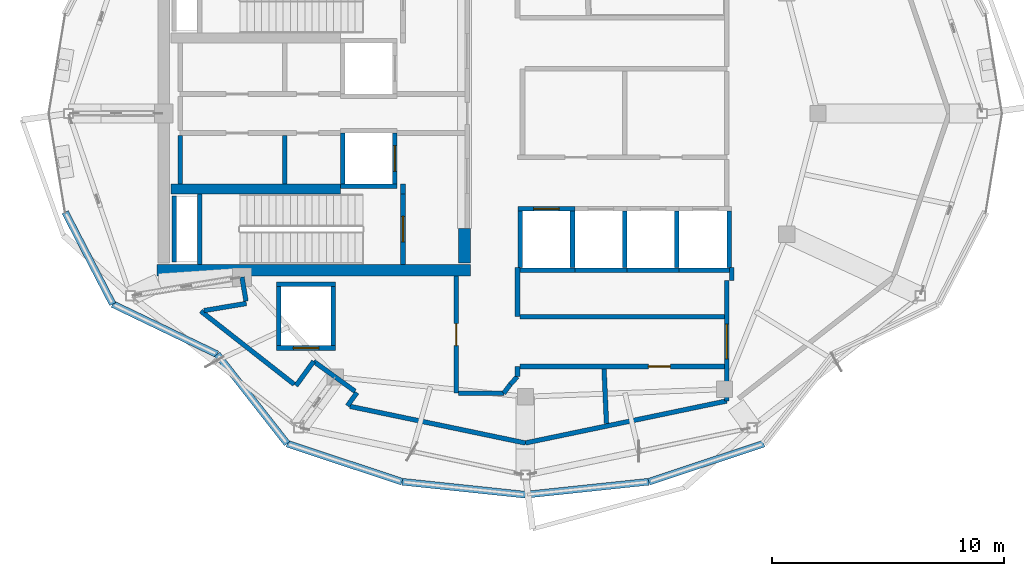
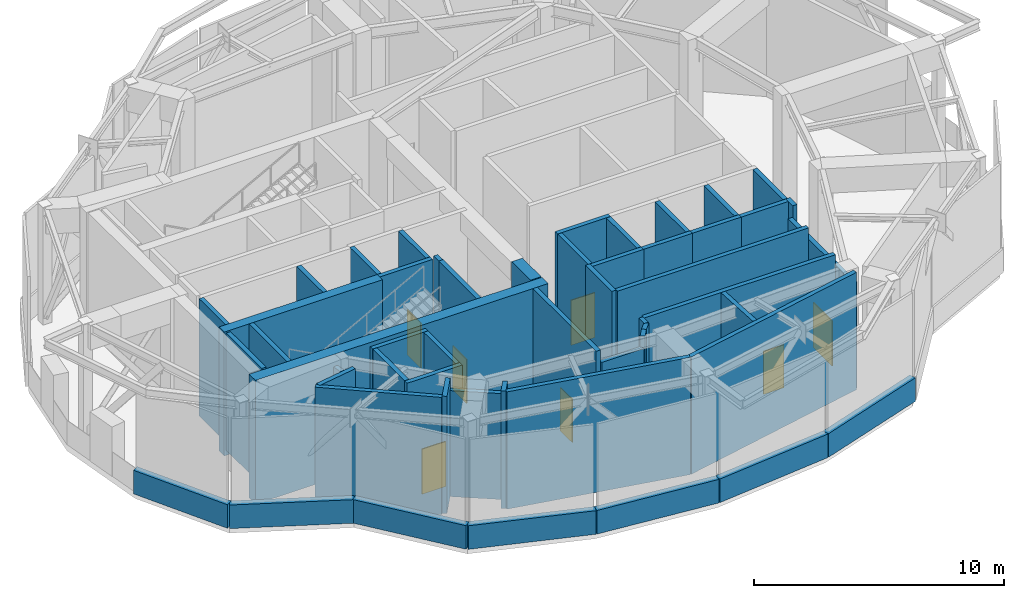
# One storey, part 6 of 9: 52 walls, 7 doors, 7 openings.
"""IFC4 building model written with IfcOpenShell, lengths in metres."""

from ifc_helpers import new_model, si_unit, direction, frame, frame_2d, origin, place, context, subcontext, project, spatial, rectangle, extrude, material, layer, layer_set, type_object, element, fill, save


model = new_model("IFC4")

# Units and contexts
model_context = context("Model", 3, precision=1e-05, world=origin(), true_north=direction((0.0, 1.0)))
body_context = subcontext(model_context, "Body", "Model", "MODEL_VIEW")
ifc_project = project(units=[si_unit("LENGTHUNIT", "METRE"), si_unit("AREAUNIT", "SQUARE_METRE"), si_unit("VOLUMEUNIT", "CUBIC_METRE"), si_unit("PLANEANGLEUNIT", "RADIAN"), si_unit("MASSUNIT", "GRAM", prefix="KILO")], contexts=[model_context])

# Site, building, storey
site_placement = place(None, origin())
site = spatial("IfcSite", under=ifc_project, at=site_placement, CompositionType="ELEMENT")
building_placement = place(site_placement, origin())
building = spatial("IfcBuilding", under=site, at=building_placement, Name="Kolvaren Gate Tower and Convention Centre", CompositionType="ELEMENT")
storey_placement = place(building_placement, frame((0.0, 0.0, 275.60009765625)))
storey = spatial("IfcBuildingStorey", under=building, at=storey_placement, Name="L75", CompositionType="ELEMENT", Elevation=275.60009765625)

# Walls
ifc_material_1 = material(Name="Autoclaved Aerated Masonry Blockwork Class 4 (4.0 MPa)", Category="masonry")
ifc_layer_1 = layer(ifc_material_1, 0.199951171875)
ifc_layer_set_1 = layer_set([ifc_layer_1], Name="Autoclaved Aerated Masonry Blockwork Class 4 (4.0 MPa)")
wall_type_1 = type_object("IfcWallType", Name="ARCH-WL-SHAFT-200", PredefinedType="SOLIDWALL", material=ifc_layer_set_1)
wall_1_placement = place(storey_placement, frame((22.14990234375, 23.860107421875, 0.0), z_axis=(0.0, 0.0, 1.0), x_axis=(1.0, 0.0, 0.0)))
element("IfcWall", 1, at=wall_1_placement, inside=storey, type_object=wall_type_1, Name="Elevator FF-02 L75 Fire Shaft Wall S", PredefinedType="SOLIDWALL", context=body_context, shape_type="SweptSolid", body=[
    extrude(rectangle(XDim=2.4501953125, YDim=0.199951171875, at=frame_2d((1.22509765625, 0.0))), origin(), (0.0, 0.0, 1.0), 5.719970703125),
])
wall_2_placement = place(storey_placement, frame((22.25, 23.969970703125, 0.0), z_axis=(0.0, 0.0, 1.0), x_axis=(0.0, 1.0, 0.0)))
element("IfcWall", 2, at=wall_2_placement, inside=storey, type_object=wall_type_1, Name="Elevator FF-02 L75 Fire Shaft Wall W", PredefinedType="SOLIDWALL", context=body_context, shape_type="SweptSolid", body=[
    extrude(rectangle(XDim=2.179931640625, YDim=0.199951171875, at=frame_2d((1.08984375, 0.0))), origin(), (0.0, 0.0, 1.0), 5.719970703125),
])

# Wall, opening, door
wall_3_placement = place(storey_placement, frame((24.5, 23.969970703125, 0.0), z_axis=(0.0, 0.0, 1.0), x_axis=(0.0, 1.0, 0.0)))
wall_3 = element("IfcWall", 3, at=wall_3_placement, inside=storey, type_object=wall_type_1, Name="Elevator FF-02 L75 Fire Shaft Wall E", PredefinedType="SOLIDWALL", context=body_context, shape_type="SweptSolid", body=[
    extrude(rectangle(XDim=2.179931640625, YDim=0.199951171875, at=frame_2d((1.08984375, 0.0))), origin(), (0.0, 0.0, 1.0), 5.719970703125),
])
opening_1_placement = place(wall_3_placement, frame((0.5400390625, 0.0, 0.0)))
opening_1 = element("IfcOpeningElement", 4, at=opening_1_placement, cuts=wall_3, Name="Opening LD", PredefinedType="OPENING", context=body_context, shape_type="SweptSolid", body=[
    extrude(rectangle(XDim=1.10009765625, YDim=2.199951171875, at=frame_2d((0.550048828125, 1.10009765625))), frame((0.0, 0.10986328125, 0.0), z_axis=(0.0, -1.0, 0.0), x_axis=(1.0, 0.0, 0.0)), (0.0, 0.0, 1.0), 0.219970703125),
])
ifc_material_2 = material(Name="Brushed Stainless Steel Grade 316L", Category="steel")
door_type_1 = type_object("IfcDoorType", Name="ARCH-DR-LIFT-1100", OperationType="SLIDING_TO_LEFT", PredefinedType="DOOR", material=ifc_material_2)
door_1_placement = place(opening_1_placement, origin())
door_1 = element("IfcDoor", 5, at=door_1_placement, inside=storey, type_object=door_type_1, Name="Elevator FF-02 L75 Sliding Landing Door", OperationType="SLIDING_TO_LEFT", OverallHeight=2.199951171875, OverallWidth=1.10009765625, PredefinedType="DOOR", context=body_context, shape_type="SweptSolid", body=[
    extrude(rectangle(XDim=1.10009765625, YDim=2.199951171875, at=frame_2d((0.550048828125, 1.10009765625))), frame((0.0, 0.02490234375, 0.0), z_axis=(0.0, -1.0, 0.0), x_axis=(1.0, 0.0, 0.0)), (0.0, 0.0, 1.0), 0.050048828125),
])
fill(opening_1, door_1)

# Wall
wall_4_placement = place(storey_placement, frame((19.39990234375, 19.64990234375, 0.0), z_axis=(0.0, 0.0, 1.0), x_axis=(1.0, 0.0, 0.0)))
element("IfcWall", 6, at=wall_4_placement, inside=storey, type_object=wall_type_1, Name="Elevator SV-01 L75 Fire Shaft Wall N", PredefinedType="SOLIDWALL", context=body_context, shape_type="SweptSolid", body=[
    extrude(rectangle(XDim=2.550048828125, YDim=0.199951171875, at=frame_2d((1.27490234375, 0.0))), origin(), (0.0, 0.0, 1.0), 5.719970703125),
])

# Wall, opening, door
wall_5_placement = place(storey_placement, frame((19.39990234375, 16.89990234375, 0.0), z_axis=(0.0, 0.0, 1.0), x_axis=(1.0, 0.0, 0.0)))
wall_5 = element("IfcWall", 7, at=wall_5_placement, inside=storey, type_object=wall_type_1, Name="Elevator SV-01 L75 Fire Shaft Wall S", PredefinedType="SOLIDWALL", context=body_context, shape_type="SweptSolid", body=[
    extrude(rectangle(XDim=2.550048828125, YDim=0.199951171875, at=frame_2d((1.27490234375, 0.0))), origin(), (0.0, 0.0, 1.0), 5.719970703125),
])
opening_2_placement = place(wall_5_placement, frame((0.72509765625, 0.0, 0.0)))
opening_2 = element("IfcOpeningElement", 8, at=opening_2_placement, cuts=wall_5, Name="Opening LD", PredefinedType="OPENING", context=body_context, shape_type="SweptSolid", body=[
    extrude(rectangle(XDim=1.10009765625, YDim=2.199951171875, at=frame_2d((0.550048828125, 1.10009765625))), frame((0.0, 0.10986328125, 0.0), z_axis=(0.0, -1.0, 0.0), x_axis=(1.0, 0.0, 0.0)), (0.0, 0.0, 1.0), 0.219970703125),
])
door_2_placement = place(opening_2_placement, origin())
door_2 = element("IfcDoor", 9, at=door_2_placement, inside=storey, type_object=door_type_1, Name="Elevator SV-01 L75 Sliding Landing Door", OperationType="SLIDING_TO_LEFT", OverallHeight=2.199951171875, OverallWidth=1.10009765625, PredefinedType="DOOR", context=body_context, shape_type="SweptSolid", body=[
    extrude(rectangle(XDim=1.10009765625, YDim=2.199951171875, at=frame_2d((0.550048828125, 1.10009765625))), frame((0.0, 0.02490234375, 0.0), z_axis=(0.0, -1.0, 0.0), x_axis=(1.0, 0.0, 0.0)), (0.0, 0.0, 1.0), 0.050048828125),
])
fill(opening_2, door_2)

# Walls
for number, where, z_axis, x_axis, name in (
    (10, (19.5, 17.010009765625, 0.0), (0.0, 0.0, 1.0), (0.0, 1.0, 0.0), "Elevator SV-01 L75 Fire Shaft Wall W"),
    (11, (21.85009765625, 17.010009765625, 0.0), (0.0, 0.0, 1.0), (0.0, 1.0, 0.0), "Elevator SV-01 L75 Fire Shaft Wall E"),
):
    element("IfcWall", number, at=place(storey_placement, frame(where, z_axis=z_axis, x_axis=x_axis)), inside=storey, type_object=wall_type_1, Name=name, PredefinedType="SOLIDWALL", context=body_context, shape_type="SweptSolid", body=[
        extrude(rectangle(XDim=2.530029296875, YDim=0.199951171875, at=frame_2d((1.26513671875, 0.0))), origin(), (0.0, 0.0, 1.0), 5.719970703125),
    ])

# Wall, opening, door
wall_6_placement = place(storey_placement, frame((29.800048828125, 22.89990234375, 0.0), z_axis=(0.0, 0.0, 1.0), x_axis=(1.0, 0.0, 0.0)))
wall_6 = element("IfcWall", 12, at=wall_6_placement, inside=storey, type_object=wall_type_1, Name="Elevator PL-09 L75 Fire Shaft Wall N", PredefinedType="SOLIDWALL", context=body_context, shape_type="SweptSolid", body=[
    extrude(rectangle(XDim=2.449951171875, YDim=0.199951171875, at=frame_2d((1.22509765625, 0.0))), origin(), (0.0, 0.0, 1.0), 5.719970703125),
])
opening_3_placement = place(wall_6_placement, frame((0.675048828125, 0.0, 0.0)))
opening_3 = element("IfcOpeningElement", 13, at=opening_3_placement, cuts=wall_6, Name="Opening LD", PredefinedType="OPENING", context=body_context, shape_type="SweptSolid", body=[
    extrude(rectangle(XDim=1.10009765625, YDim=2.199951171875, at=frame_2d((0.550048828125, 1.10009765625))), frame((0.0, 0.10986328125, 0.0), z_axis=(0.0, -1.0, 0.0), x_axis=(1.0, 0.0, 0.0)), (0.0, 0.0, 1.0), 0.219970703125),
])
door_3_placement = place(opening_3_placement, origin())
door_3 = element("IfcDoor", 14, at=door_3_placement, inside=storey, type_object=door_type_1, Name="Elevator PL-09 L75 Sliding Landing Door", OperationType="SLIDING_TO_LEFT", OverallHeight=2.199951171875, OverallWidth=1.10009765625, PredefinedType="DOOR", context=body_context, shape_type="SweptSolid", body=[
    extrude(rectangle(XDim=1.10009765625, YDim=2.199951171875, at=frame_2d((0.550048828125, 1.10009765625))), frame((0.0, 0.02490234375, 0.0), z_axis=(0.0, -1.0, 0.0), x_axis=(1.0, 0.0, 0.0)), (0.0, 0.0, 1.0), 0.050048828125),
])
fill(opening_3, door_3)

# Walls
wall_7_placement = place(storey_placement, frame((29.800048828125, 20.25, 0.0), z_axis=(0.0, 0.0, 1.0), x_axis=(1.0, 0.0, 0.0)))
element("IfcWall", 15, at=wall_7_placement, inside=storey, type_object=wall_type_1, Name="Elevator PL-09 L75 Fire Shaft Wall S", PredefinedType="SOLIDWALL", context=body_context, shape_type="SweptSolid", body=[
    extrude(rectangle(XDim=2.449951171875, YDim=0.199951171875, at=frame_2d((1.22509765625, 0.0))), origin(), (0.0, 0.0, 1.0), 5.719970703125),
])
for number, where, z_axis, x_axis, name in (
    (16, (29.89990234375, 20.360107421875, 0.0), (0.0, 0.0, 1.0), (0.0, 1.0, 0.0), "Elevator PL-09 L75 Fire Shaft Wall W"),
    (17, (32.14990234375, 20.360107421875, 0.0), (0.0, 0.0, 1.0), (0.0, 1.0, 0.0), "Elevator PL-09 L75 Fire Shaft Wall E"),
):
    element("IfcWall", number, at=place(storey_placement, frame(where, z_axis=z_axis, x_axis=x_axis)), inside=storey, type_object=wall_type_1, Name=name, PredefinedType="SOLIDWALL", context=body_context, shape_type="SweptSolid", body=[
        extrude(rectangle(XDim=2.429931640625, YDim=0.199951171875, at=frame_2d((1.21484375, 0.0))), origin(), (0.0, 0.0, 1.0), 5.719970703125),
    ])
wall_8_placement = place(storey_placement, frame((32.25, 20.25, 0.0), z_axis=(0.0, 0.0, 1.0), x_axis=(1.0, 0.0, 0.0)))
element("IfcWall", 18, at=wall_8_placement, inside=storey, type_object=wall_type_1, Name="Elevator PL-10 L75 Fire Shaft Wall S", PredefinedType="SOLIDWALL", context=body_context, shape_type="SweptSolid", body=[
    extrude(rectangle(XDim=2.25, YDim=0.199951171875, at=frame_2d((1.125, 0.0))), origin(), (0.0, 0.0, 1.0), 5.719970703125),
])
wall_9_placement = place(storey_placement, frame((34.39990234375, 20.360107421875, 0.0), z_axis=(0.0, 0.0, 1.0), x_axis=(0.0, 1.0, 0.0)))
element("IfcWall", 19, at=wall_9_placement, inside=storey, type_object=wall_type_1, Name="Elevator PL-10 L75 Fire Shaft Wall E", PredefinedType="SOLIDWALL", context=body_context, shape_type="SweptSolid", body=[
    extrude(rectangle(XDim=2.429931640625, YDim=0.199951171875, at=frame_2d((1.21484375, 0.0))), origin(), (0.0, 0.0, 1.0), 5.719970703125),
])
wall_10_placement = place(storey_placement, frame((34.5, 20.25, 0.0), z_axis=(0.0, 0.0, 1.0), x_axis=(1.0, 0.0, 0.0)))
element("IfcWall", 20, at=wall_10_placement, inside=storey, type_object=wall_type_1, Name="Elevator PL-11 L75 Fire Shaft Wall S", PredefinedType="SOLIDWALL", context=body_context, shape_type="SweptSolid", body=[
    extrude(rectangle(XDim=2.25, YDim=0.199951171875, at=frame_2d((1.125, 0.0))), origin(), (0.0, 0.0, 1.0), 5.719970703125),
])
wall_11_placement = place(storey_placement, frame((36.64990234375, 20.360107421875, 0.0), z_axis=(0.0, 0.0, 1.0), x_axis=(0.0, 1.0, 0.0)))
element("IfcWall", 21, at=wall_11_placement, inside=storey, type_object=wall_type_1, Name="Elevator PL-11 L75 Fire Shaft Wall E", PredefinedType="SOLIDWALL", context=body_context, shape_type="SweptSolid", body=[
    extrude(rectangle(XDim=2.429931640625, YDim=0.199951171875, at=frame_2d((1.21484375, 0.0))), origin(), (0.0, 0.0, 1.0), 5.719970703125),
])
wall_12_placement = place(storey_placement, frame((36.75, 20.25, 0.0), z_axis=(0.0, 0.0, 1.0), x_axis=(1.0, 0.0, 0.0)))
element("IfcWall", 22, at=wall_12_placement, inside=storey, type_object=wall_type_1, Name="Elevator PL-12 L75 Fire Shaft Wall S", PredefinedType="SOLIDWALL", context=body_context, shape_type="SweptSolid", body=[
    extrude(rectangle(XDim=2.25, YDim=0.199951171875, at=frame_2d((1.125, 0.0))), origin(), (0.0, 0.0, 1.0), 5.719970703125),
])
wall_13_placement = place(storey_placement, frame((38.89990234375, 20.360107421875, 0.0), z_axis=(0.0, 0.0, 1.0), x_axis=(0.0, 1.0, 0.0)))
element("IfcWall", 23, at=wall_13_placement, inside=storey, type_object=wall_type_1, Name="Elevator PL-12 L75 Fire Shaft Wall E", PredefinedType="SOLIDWALL", context=body_context, shape_type="SweptSolid", body=[
    extrude(rectangle(XDim=2.429931640625, YDim=0.199951171875, at=frame_2d((1.21484375, 0.0))), origin(), (0.0, 0.0, 1.0), 5.719970703125),
])
wall_14_placement = place(storey_placement, frame((14.989990234375, 20.60009765625, 0.0), z_axis=(0.0, 0.0, 1.0), x_axis=(0.0, 1.0, 0.0)))
element("IfcWall", 24, at=wall_14_placement, inside=storey, type_object=wall_type_1, Name="Vertical Shaft MPR L75 EI-120 Enclosure Wall W", PredefinedType="SOLIDWALL", context=body_context, shape_type="SweptSolid", body=[
    extrude(rectangle(XDim=2.849853515625, YDim=0.199951171875, at=frame_2d((1.4248046875, 0.0))), origin(), (0.0, 0.0, 1.0), 5.719970703125),
])
wall_15_placement = place(storey_placement, frame((24.85009765625, 23.5400390625, 0.0), z_axis=(0.0, 0.0, 1.0), x_axis=(0.0, 1.0, 0.0)))
element("IfcWall", 25, at=wall_15_placement, inside=storey, type_object=wall_type_1, Name="Interior Partition WL-L75-INT-001", PredefinedType="SOLIDWALL", context=body_context, shape_type="SweptSolid", body=[
    extrude(rectangle(XDim=0.419921875, YDim=0.199951171875, at=frame_2d((0.2099609375, 0.0))), origin(), (0.0, 0.0, 1.0), 5.719970703125),
])
for number, where, z_axis, x_axis, name in (
    (26, (15.25, 23.9619140625, 0.0), (0.0, 0.0, 1.0), (0.0, 1.0, 0.0), "Interior Partition WL-L75-INT-006"),
    (27, (19.75, 23.9619140625, 0.0), (0.0, 0.0, 1.0), (0.0, 1.0, 0.0), "Interior Partition WL-L75-INT-007"),
):
    element("IfcWall", number, at=place(storey_placement, frame(where, z_axis=z_axis, x_axis=x_axis)), inside=storey, type_object=wall_type_1, Name=name, PredefinedType="SOLIDWALL", context=body_context, shape_type="SweptSolid", body=[
        extrude(rectangle(XDim=2.09619140625, YDim=0.199951171875, at=frame_2d((1.048095703125, 0.0))), origin(), (0.0, 0.0, 1.0), 5.719970703125),
    ])

# Wall, opening, door
wall_16_placement = place(storey_placement, frame((38.800048828125, 14.615966796875, 0.0), z_axis=(0.0, 0.0, 1.0), x_axis=(0.0, 1.0, 0.0)))
wall_16 = element("IfcWall", 28, at=wall_16_placement, inside=storey, type_object=wall_type_1, Name="Interior Partition WL-L75-INT-013", PredefinedType="SOLIDWALL", context=body_context, shape_type="SweptSolid", body=[
    extrude(rectangle(XDim=5.18408203125, YDim=0.199951171875, at=frame_2d((2.592041015625, 0.0))), origin(), (0.0, 0.0, 1.0), 5.16796875),
])
opening_4_placement = place(wall_16_placement, frame((1.80908203125, 0.0, 0.0)))
opening_4 = element("IfcOpeningElement", 29, at=opening_4_placement, cuts=wall_16, Name="Opening DL-01", PredefinedType="OPENING", context=body_context, shape_type="SweptSolid", body=[
    extrude(rectangle(XDim=1.5, YDim=2.199951171875, at=frame_2d((0.75, 1.10009765625))), frame((0.0, 0.10986328125, 0.0), z_axis=(0.0, -1.0, 0.0), x_axis=(1.0, 0.0, 0.0)), (0.0, 0.0, 1.0), 0.219970703125),
])
ifc_material_3 = material(Name="Painted Architectural Steelwork ASTM A500 Grade C 345 MPa", Category="steel")
door_type_2 = type_object("IfcDoorType", Name="ARCH-DR-LOBBY-1500", OperationType="DOUBLE_DOOR_SINGLE_SWING", PredefinedType="DOOR", material=ifc_material_3)
door_4_placement = place(opening_4_placement, origin())
door_4 = element("IfcDoor", 30, at=door_4_placement, inside=storey, type_object=door_type_2, Name="Pressurized Area of Refuge L75 Door", OperationType="DOUBLE_DOOR_SINGLE_SWING", OverallHeight=2.199951171875, OverallWidth=1.5, PredefinedType="DOOR", context=body_context, shape_type="SweptSolid", body=[
    extrude(rectangle(XDim=1.5, YDim=2.199951171875, at=frame_2d((0.75, 1.10009765625))), frame((0.0, 0.02490234375, 0.0), z_axis=(0.0, -1.0, 0.0), x_axis=(1.0, 0.0, 0.0)), (0.0, 0.0, 1.0), 0.050048828125),
])
fill(opening_4, door_4)

wall_17_placement = place(storey_placement, frame((27.14990234375, 14.949951171875, 0.0), z_axis=(0.0, 0.0, 1.0), x_axis=(0.0, 1.0, 0.0)))
wall_17 = element("IfcWall", 31, at=wall_17_placement, inside=storey, type_object=wall_type_1, Name="Interior Partition WL-L75-INT-015", PredefinedType="SOLIDWALL", context=body_context, shape_type="SweptSolid", body=[
    extrude(rectangle(XDim=5.048095703125, YDim=0.199951171875, at=frame_2d((2.52392578125, 0.0))), origin(), (0.0, 0.0, 1.0), 5.719970703125),
])
opening_5_placement = place(wall_17_placement, frame((2.049072265625, 0.0, 0.0)))
opening_5 = element("IfcOpeningElement", 32, at=opening_5_placement, cuts=wall_17, Name="Opening DR-01", PredefinedType="OPENING", context=body_context, shape_type="SweptSolid", body=[
    extrude(rectangle(XDim=0.949951171875, YDim=2.10009765625, at=frame_2d((0.47509765625, 1.050048828125))), frame((0.0, 0.10986328125, 0.0), z_axis=(0.0, -1.0, 0.0), x_axis=(1.0, 0.0, 0.0)), (0.0, 0.0, 1.0), 0.219970703125),
])
door_type_3 = type_object("IfcDoorType", Name="ARCH-DR-RISER-950", OperationType="SINGLE_SWING_RIGHT", PredefinedType="DOOR", material=ifc_material_3)
door_5_placement = place(opening_5_placement, origin())
door_5 = element("IfcDoor", 33, at=door_5_placement, inside=storey, type_object=door_type_3, Name="Wind-Turbine Power-Conditioning Plant Room Door", OperationType="SINGLE_SWING_RIGHT", OverallHeight=2.10009765625, OverallWidth=0.949951171875, PredefinedType="DOOR", context=body_context, shape_type="SweptSolid", body=[
    extrude(rectangle(XDim=0.949951171875, YDim=2.10009765625, at=frame_2d((0.47509765625, 1.050048828125))), frame((0.0, 0.02490234375, 0.0), z_axis=(0.0, -1.0, 0.0), x_axis=(1.0, 0.0, 0.0)), (0.0, 0.0, 1.0), 0.050048828125),
])
fill(opening_5, door_5)

# Walls
wall_18_placement = place(storey_placement, frame((29.780029296875, 15.6669921875, 0.0), z_axis=(0.0, 0.0, 1.0), x_axis=(0.0, 1.0, 0.0)))
element("IfcWall", 34, at=wall_18_placement, inside=storey, type_object=wall_type_1, Name="Interior Partition WL-L75-INT-019", PredefinedType="SOLIDWALL", context=body_context, shape_type="SweptSolid", body=[
    extrude(rectangle(XDim=0.43310546875, YDim=0.199951171875, at=frame_2d((0.216552734375, 0.0))), origin(), (0.0, 0.0, 1.0), 5.719970703125),
])
wall_19_placement = place(storey_placement, frame((29.780029296875, 18.25, 0.0), z_axis=(0.0, 0.0, 1.0), x_axis=(0.0, 1.0, 0.0)))
element("IfcWall", 35, at=wall_19_placement, inside=storey, type_object=wall_type_1, Name="Interior Partition WL-L75-INT-020", PredefinedType="SOLIDWALL", context=body_context, shape_type="SweptSolid", body=[
    extrude(rectangle(XDim=2.110107421875, YDim=0.199951171875, at=frame_2d((1.05517578125, 0.0))), origin(), (0.0, 0.0, 1.0), 5.719970703125),
])
wall_20_placement = place(storey_placement, frame((29.882080078125, 18.25, 0.0), z_axis=(0.0, 0.0, 1.0), x_axis=(1.0, 0.0, 0.0)))
element("IfcWall", 36, at=wall_20_placement, inside=storey, type_object=wall_type_1, Name="Interior Partition WL-L75-INT-023", PredefinedType="SOLIDWALL", context=body_context, shape_type="SweptSolid", body=[
    extrude(rectangle(XDim=8.81591796875, YDim=0.199951171875, at=frame_2d((4.407958984375, 0.0))), origin(), (0.0, 0.0, 1.0), 5.719970703125),
])

# Wall, opening, door
wall_21_placement = place(storey_placement, frame((29.882080078125, 16.10009765625, 0.0), z_axis=(0.0, 0.0, 1.0), x_axis=(1.0, 0.0, 0.0)))
wall_21 = element("IfcWall", 37, at=wall_21_placement, inside=storey, type_object=wall_type_1, Name="Interior Partition WL-L75-INT-024", PredefinedType="SOLIDWALL", context=body_context, shape_type="SweptSolid", body=[
    extrude(rectangle(XDim=8.81591796875, YDim=0.199951171875, at=frame_2d((4.407958984375, 0.0))), origin(), (0.0, 0.0, 1.0), 5.719970703125),
])
opening_6_placement = place(wall_21_placement, frame((5.540283203125, 0.0, 0.0)))
opening_6 = element("IfcOpeningElement", 38, at=opening_6_placement, cuts=wall_21, Name="Opening DR-01", PredefinedType="OPENING", context=body_context, shape_type="SweptSolid", body=[
    extrude(rectangle(XDim=0.949951171875, YDim=2.10009765625, at=frame_2d((0.47509765625, 1.050048828125))), frame((0.0, 0.10986328125, 0.0), z_axis=(0.0, -1.0, 0.0), x_axis=(1.0, 0.0, 0.0)), (0.0, 0.0, 1.0), 0.219970703125),
])
door_6_placement = place(opening_6_placement, origin())
door_6 = element("IfcDoor", 39, at=door_6_placement, inside=storey, type_object=door_type_3, Name="Zone Domestic and Hydronic Booster Pump Plant Door", OperationType="SINGLE_SWING_LEFT", OverallHeight=2.10009765625, OverallWidth=0.949951171875, PredefinedType="DOOR", context=body_context, shape_type="SweptSolid", body=[
    extrude(rectangle(XDim=0.949951171875, YDim=2.10009765625, at=frame_2d((0.47509765625, 1.050048828125))), frame((0.0, 0.02490234375, 0.0), z_axis=(0.0, -1.0, 0.0), x_axis=(1.0, 0.0, 0.0)), (0.0, 0.0, 1.0), 0.050048828125),
])
fill(opening_6, door_6)

# Walls
wall_22_placement = place(storey_placement, frame((29.47509765625, 15.33203125, 0.0), z_axis=(0.0, 0.0, 1.0), x_axis=(0.673182345733, 0.739476523896, 0.0)))
element("IfcWall", 40, at=wall_22_placement, inside=storey, type_object=wall_type_1, Name="Interior Partition WL-L75-INT-025", PredefinedType="SOLIDWALL", context=body_context, shape_type="SweptSolid", body=[
    extrude(rectangle(XDim=0.452880859375, YDim=0.199951171875, at=frame_2d((0.2265625, 0.0))), origin(), (0.0, 0.0, 1.0), 5.719970703125),
])
wall_23_placement = place(storey_placement, frame((29.19189453125, 14.949951171875, 0.0), z_axis=(0.0, 0.0, 1.0), x_axis=(0.595473052488, 0.80337528202, 0.0)))
element("IfcWall", 41, at=wall_23_placement, inside=storey, type_object=wall_type_1, Name="Interior Partition WL-L75-INT-026", PredefinedType="SOLIDWALL", context=body_context, shape_type="SweptSolid", body=[
    extrude(rectangle(XDim=0.4755859375, YDim=0.199951171875, at=frame_2d((0.23779296875, 0.0))), origin(), (0.0, 0.0, 1.0), 5.719970703125),
])
wall_24_placement = place(storey_placement, frame((27.251953125, 14.949951171875, 0.0), z_axis=(0.0, 0.0, 1.0), x_axis=(1.0, 0.0, 0.0)))
element("IfcWall", 42, at=wall_24_placement, inside=storey, type_object=wall_type_1, Name="Interior Partition WL-L75-INT-027", PredefinedType="SOLIDWALL", context=body_context, shape_type="SweptSolid", body=[
    extrude(rectangle(XDim=1.93994140625, YDim=0.199951171875, at=frame_2d((0.969970703125, 0.0))), origin(), (0.0, 0.0, 1.0), 5.16796875),
])
wall_25_placement = place(storey_placement, frame((39.02001953125, 19.800048828125, 0.0), z_axis=(0.0, 0.0, 1.0), x_axis=(0.0, 1.0, 0.0)))
element("IfcWall", 43, at=wall_25_placement, inside=storey, type_object=wall_type_1, Name="Interior Partition WL-L75-INT-028", PredefinedType="SOLIDWALL", context=body_context, shape_type="SweptSolid", body=[
    extrude(rectangle(XDim=0.56005859375, YDim=0.199951171875, at=frame_2d((0.280029296875, 0.0))), origin(), (0.0, 0.0, 1.0), 5.719970703125),
])
wall_26_placement = place(storey_placement, frame((22.455322265625, 14.405029296875, 0.0), z_axis=(0.0, 0.0, 1.0), x_axis=(0.584982510558, 0.811045906433, 0.0)))
element("IfcWall", 44, at=wall_26_placement, inside=storey, type_object=wall_type_1, Name="Interior Partition WL-L75-INT-029", PredefinedType="SOLIDWALL", context=body_context, shape_type="SweptSolid", body=[
    extrude(rectangle(XDim=0.701904296875, YDim=0.199951171875, at=frame_2d((0.35107421875, 0.0))), origin(), (0.0, 0.0, 1.0), 5.719970703125),
])
wall_27_placement = place(storey_placement, frame((30.12451171875, 12.805908203125, 0.0), z_axis=(0.0, 0.0, 1.0), x_axis=(0.978920560283, 0.204241368621, 0.0)))
element("IfcWall", 45, at=wall_27_placement, inside=storey, type_object=wall_type_1, Name="Interior Partition WL-L75-INT-035", PredefinedType="SOLIDWALL", context=body_context, shape_type="SweptSolid", body=[
    extrude(rectangle(XDim=8.8623046875, YDim=0.199951171875, at=frame_2d((4.43115234375, 0.0))), origin(), (0.0, 0.0, 1.0), 5.719970703125),
])
wall_28_placement = place(storey_placement, frame((21.0, 16.321044921875, 0.0), z_axis=(0.0, 0.0, 1.0), x_axis=(0.810843127415, -0.585263549799, 0.0)))
element("IfcWall", 46, at=wall_28_placement, inside=storey, type_object=wall_type_1, Name="Interior Partition WL-L75-INT-036", PredefinedType="SOLIDWALL", context=body_context, shape_type="SweptSolid", body=[
    extrude(rectangle(XDim=2.19921875, YDim=0.199951171875, at=frame_2d((1.099609375, 0.0))), origin(), (0.0, 0.0, 1.0), 5.16796875),
])
wall_29_placement = place(storey_placement, frame((20.241943359375, 15.27099609375, 0.0), z_axis=(0.0, 0.0, 1.0), x_axis=(0.585332237817, 0.810793544235, 0.0)))
element("IfcWall", 47, at=wall_29_placement, inside=storey, type_object=wall_type_1, Name="Interior Partition WL-L75-INT-037", PredefinedType="SOLIDWALL", context=body_context, shape_type="SweptSolid", body=[
    extrude(rectangle(XDim=1.295166015625, YDim=0.199951171875, at=frame_2d((0.6474609375, 0.0))), origin(), (0.0, 0.0, 1.0), 5.719970703125),
])
wall_30_placement = place(storey_placement, frame((16.14208984375, 18.486083984375, 0.0), z_axis=(0.0, 0.0, 1.0), x_axis=(0.78689846848, -0.61708249068, 0.0)))
element("IfcWall", 48, at=wall_30_placement, inside=storey, type_object=wall_type_1, Name="Interior Partition WL-L75-INT-039", PredefinedType="SOLIDWALL", context=body_context, shape_type="SweptSolid", body=[
    extrude(rectangle(XDim=5.108154296875, YDim=0.199951171875, at=frame_2d((2.55419921875, 0.0))), origin(), (0.0, 0.0, 1.0), 5.719970703125),
])
wall_31_placement = place(storey_placement, frame((16.278076171875, 18.5087890625, 0.0), z_axis=(0.0, 0.0, 1.0), x_axis=(0.986161428177, 0.165787929526, 0.0)))
element("IfcWall", 49, at=wall_31_placement, inside=storey, type_object=wall_type_1, Name="Interior Partition WL-L75-INT-040", PredefinedType="SOLIDWALL", context=body_context, shape_type="SweptSolid", body=[
    extrude(rectangle(XDim=1.8525390625, YDim=0.199951171875, at=frame_2d((0.92626953125, 0.0))), origin(), (0.0, 0.0, 1.0), 5.719970703125),
])
wall_32_placement = place(storey_placement, frame((17.9140625, 19.949951171875, 0.0), z_axis=(0.0, 0.0, 1.0), x_axis=(0.166098703356, -0.986109132269, 0.0)))
element("IfcWall", 50, at=wall_32_placement, inside=storey, type_object=wall_type_1, Name="Interior Partition WL-L75-INT-041", PredefinedType="SOLIDWALL", context=body_context, shape_type="SweptSolid", body=[
    extrude(rectangle(XDim=1.048095703125, YDim=0.199951171875, at=frame_2d((0.52392578125, 0.0))), origin(), (0.0, 0.0, 1.0), 5.16796875),
])
wall_33_placement = place(storey_placement, frame((33.511474609375, 15.998046875, 0.0), z_axis=(0.0, 0.0, 1.0), x_axis=(0.044451052596, -0.999011563458, 0.0)))
element("IfcWall", 51, at=wall_33_placement, inside=storey, type_object=wall_type_1, Name="Interior Partition WL-L75-INT-044", PredefinedType="SOLIDWALL", context=body_context, shape_type="SweptSolid", body=[
    extrude(rectangle(XDim=2.36181640625, YDim=0.199951171875, at=frame_2d((1.180908203125, 0.0))), origin(), (0.0, 0.0, 1.0), 5.719970703125),
])
wall_34_placement = place(storey_placement, frame((22.56494140625, 14.3828125, 0.0), z_axis=(0.0, 0.0, 1.0), x_axis=(0.97888089299, -0.204431400083, 0.0)))
element("IfcWall", 52, at=wall_34_placement, inside=storey, type_object=wall_type_1, Name="Interior Partition WL-L75-INT-045", PredefinedType="SOLIDWALL", context=body_context, shape_type="SweptSolid", body=[
    extrude(rectangle(XDim=7.72314453125, YDim=0.199951171875, at=frame_2d((3.861572265625, 0.0))), origin(), (0.0, 0.0, 1.0), 5.719970703125),
])
ifc_material_4 = material(Name="Piedmont Cream Honed Limestone Cladding", Category="masonry")
ifc_layer_2 = layer(ifc_material_4, 0.300048828125)
ifc_layer_set_2 = layer_set([ifc_layer_2], Name="Piedmont Cream Honed Limestone Cladding")
wall_type_2 = type_object("IfcWallType", Name="ARCH-WL-STONE-300", PredefinedType="SOLIDWALL", material=ifc_layer_set_2)
wall_35_placement = place(storey_placement, frame((10.29345703125, 22.748779296875, 0.0), z_axis=(0.0, 0.0, 1.0), x_axis=(0.459801070243, -0.888021945564, 0.0)))
element("IfcWall", 53, at=wall_35_placement, inside=storey, type_object=wall_type_2, Name="Plant Floor L75 Stone Sill Wall EW-13", PredefinedType="SOLIDWALL", context=body_context, shape_type="SweptSolid", body=[
    extrude(rectangle(XDim=4.460693359375, YDim=0.300048828125, at=frame_2d((2.23046875, 0.0))), origin(), (0.0, 0.0, 1.0), 1.14990234375),
])
wall_36_placement = place(storey_placement, frame((12.344482421875, 18.78759765625, 0.0), z_axis=(0.0, 0.0, 1.0), x_axis=(0.901346013132, -0.433099716706, 0.0)))
element("IfcWall", 54, at=wall_36_placement, inside=storey, type_object=wall_type_2, Name="Plant Floor L75 Stone Sill Wall EW-14", PredefinedType="SOLIDWALL", context=body_context, shape_type="SweptSolid", body=[
    extrude(rectangle(XDim=4.994384765625, YDim=0.300048828125, at=frame_2d((2.4970703125, 0.0))), origin(), (0.0, 0.0, 1.0), 1.14990234375),
])
wall_37_placement = place(storey_placement, frame((16.84619140625, 16.62451171875, 0.0), z_axis=(0.0, 0.0, 1.0), x_axis=(0.616413297421, -0.78742278781, 0.0)))
element("IfcWall", 55, at=wall_37_placement, inside=storey, type_object=wall_type_2, Name="Plant Floor L75 Stone Sill Wall EW-15", PredefinedType="SOLIDWALL", context=body_context, shape_type="SweptSolid", body=[
    extrude(rectangle(XDim=4.88818359375, YDim=0.300048828125, at=frame_2d((2.444091796875, 0.0))), origin(), (0.0, 0.0, 1.0), 1.14990234375),
])
wall_38_placement = place(storey_placement, frame((19.859375, 12.775390625, 0.0), z_axis=(0.0, 0.0, 1.0), x_axis=(0.949252744709, -0.314514271001, 0.0)))
element("IfcWall", 56, at=wall_38_placement, inside=storey, type_object=wall_type_2, Name="Plant Floor L75 Stone Sill Wall EW-16", PredefinedType="SOLIDWALL", context=body_context, shape_type="SweptSolid", body=[
    extrude(rectangle(XDim=5.21630859375, YDim=0.300048828125, at=frame_2d((2.608154296875, 0.0))), origin(), (0.0, 0.0, 1.0), 1.14990234375),
])
for number, where, z_axis, x_axis, name in (
    (57, (24.81103515625, 11.134765625, 0.0), (0.0, 0.0, 1.0), (0.9944966869, -0.104768028258, 0.0), "Plant Floor L75 Stone Sill Wall EW-17"),
    (58, (30.125, 10.574951171875, 0.0), (0.0, 0.0, 1.0), (0.9944966869, 0.104768028258, 0.0), "Plant Floor L75 Stone Sill Wall EW-18"),
):
    element("IfcWall", number, at=place(storey_placement, frame(where, z_axis=z_axis, x_axis=x_axis)), inside=storey, type_object=wall_type_2, Name=name, PredefinedType="SOLIDWALL", context=body_context, shape_type="SweptSolid", body=[
        extrude(rectangle(XDim=5.34326171875, YDim=0.300048828125, at=frame_2d((2.671630859375, 0.0))), origin(), (0.0, 0.0, 1.0), 1.14990234375),
    ])
wall_39_placement = place(storey_placement, frame((35.43896484375, 11.134765625, 0.0), z_axis=(0.0, 0.0, 1.0), x_axis=(0.949252744709, 0.314514271001, 0.0)))
element("IfcWall", 59, at=wall_39_placement, inside=storey, type_object=wall_type_2, Name="Plant Floor L75 Stone Sill Wall EW-19", PredefinedType="SOLIDWALL", context=body_context, shape_type="SweptSolid", body=[
    extrude(rectangle(XDim=5.21630859375, YDim=0.300048828125, at=frame_2d((2.608154296875, 0.0))), origin(), (0.0, 0.0, 1.0), 1.14990234375),
])
ifc_material_5 = material(Name="Concrete C50/60", Category="concrete")
ifc_layer_3 = layer(ifc_material_5, 0.419921875)
ifc_layer_set_3 = layer_set([ifc_layer_3], Name="Concrete C50/60")
wall_type_3 = type_object("IfcWallType", Name="STR-WL-CONV-420", PredefinedType="SHEAR", material=ifc_layer_set_3)
wall_40_placement = place(storey_placement, frame((14.85009765625, 23.75, -0.320068359375), z_axis=(0.0, 0.0, 1.0), x_axis=(1.0, 0.0, 0.0)))
element("IfcWall", 60, at=wall_40_placement, inside=storey, type_object=wall_type_3, Name="Tower L75 Offset Core Shear Wall WS", PredefinedType="SHEAR", context=body_context, shape_type="SweptSolid", body=[
    extrude(rectangle(XDim=7.2998046875, YDim=0.419921875, at=frame_2d((3.64990234375, 0.0))), origin(), (0.0, 0.0, 1.0), 6.0400390625),
])
ifc_layer_4 = layer(ifc_material_5, 0.5)
ifc_layer_set_4 = layer_set([ifc_layer_4], Name="Concrete C50/60")
wall_type_4 = type_object("IfcWallType", Name="STR-WL-CORE-500", PredefinedType="SHEAR", material=ifc_layer_set_4)
wall_41_placement = place(storey_placement, frame((14.25, 20.25, -0.320068359375), z_axis=(0.0, 0.0, 1.0), x_axis=(1.0, 0.0, 0.0)))
element("IfcWall", 61, at=wall_41_placement, inside=storey, type_object=wall_type_4, Name="Tower L75 Offset Core Shear Wall S", PredefinedType="SHEAR", context=body_context, shape_type="SweptSolid", body=[
    extrude(rectangle(XDim=13.5, YDim=0.5, at=frame_2d((6.75, 0.0))), origin(), (0.0, 0.0, 1.0), 6.0400390625),
])
wall_42_placement = place(storey_placement, frame((27.5, 20.550048828125, -0.320068359375), z_axis=(0.0, 0.0, 1.0), x_axis=(0.0, 1.0, 0.0)))
element("IfcWall", 62, at=wall_42_placement, inside=storey, type_object=wall_type_4, Name="Tower L75 Offset Core Shear Wall ES", PredefinedType="SHEAR", context=body_context, shape_type="SweptSolid", body=[
    extrude(rectangle(XDim=1.5, YDim=0.5, at=frame_2d((0.75, 0.0))), origin(), (0.0, 0.0, 1.0), 6.0400390625),
])

# Wall, opening, door
ifc_layer_5 = layer(ifc_material_5, 0.199951171875)
ifc_layer_set_5 = layer_set([ifc_layer_5], Name="Concrete C50/60")
wall_type_5 = type_object("IfcWallType", Name="STR-WL-SHAFT-200", PredefinedType="SHEAR", material=ifc_layer_set_5)
wall_43_placement = place(storey_placement, frame((24.85009765625, 20.501953125, -0.320068359375), z_axis=(0.0, 0.0, 1.0), x_axis=(0.0, 1.0, 0.0)))
wall_43 = element("IfcWall", 63, at=wall_43_placement, inside=storey, type_object=wall_type_5, Name="Tower South Exit Stair ST-T2 L75 Structural Shear Enclosure Wall NEAR", PredefinedType="SHEAR", context=body_context, shape_type="SweptSolid", body=[
    extrude(rectangle(XDim=3.0380859375, YDim=0.199951171875, at=frame_2d((1.51904296875, 0.0))), origin(), (0.0, 0.0, 1.0), 6.0400390625),
])
opening_7_placement = place(wall_43_placement, frame((0.968994140625, 0.0, 0.320068359375)))
opening_7 = element("IfcOpeningElement", 64, at=opening_7_placement, cuts=wall_43, Name="Opening DS-01", PredefinedType="OPENING", context=body_context, shape_type="SweptSolid", body=[
    extrude(rectangle(XDim=1.10009765625, YDim=2.14990234375, at=frame_2d((0.550048828125, 1.074951171875))), frame((0.0, 0.10986328125, 0.0), z_axis=(0.0, -1.0, 0.0), x_axis=(1.0, 0.0, 0.0)), (0.0, 0.0, 1.0), 0.219970703125),
])
door_type_4 = type_object("IfcDoorType", Name="ARCH-DR-STAIR-1100", OperationType="SINGLE_SWING_LEFT", PredefinedType="DOOR", material=ifc_material_3)
door_7_placement = place(opening_7_placement, origin())
door_7 = element("IfcDoor", 65, at=door_7_placement, inside=storey, type_object=door_type_4, Name="Tower South Exit Stair ST-T2 L75 Fire Exit Stair Door", OperationType="SINGLE_SWING_LEFT", OverallHeight=2.14990234375, OverallWidth=1.10009765625, PredefinedType="DOOR", context=body_context, shape_type="SweptSolid", body=[
    extrude(rectangle(XDim=1.10009765625, YDim=2.14990234375, at=frame_2d((0.550048828125, 1.074951171875))), frame((0.0, 0.02490234375, 0.0), z_axis=(0.0, -1.0, 0.0), x_axis=(1.0, 0.0, 0.0)), (0.0, 0.0, 1.0), 0.050048828125),
])
fill(opening_7, door_7)

# Wall
wall_44_placement = place(storey_placement, frame((16.10009765625, 20.501953125, -0.320068359375), z_axis=(0.0, 0.0, 1.0), x_axis=(0.0, 1.0, 0.0)))
element("IfcWall", 66, at=wall_44_placement, inside=storey, type_object=wall_type_5, Name="Tower South Exit Stair ST-T2 L75 Structural Shear Enclosure Wall FAR", PredefinedType="SHEAR", context=body_context, shape_type="SweptSolid", body=[
    extrude(rectangle(XDim=3.0361328125, YDim=0.199951171875, at=frame_2d((1.51806640625, 0.0))), origin(), (0.0, 0.0, 1.0), 6.0400390625),
])

save(model, "model.ifc")
